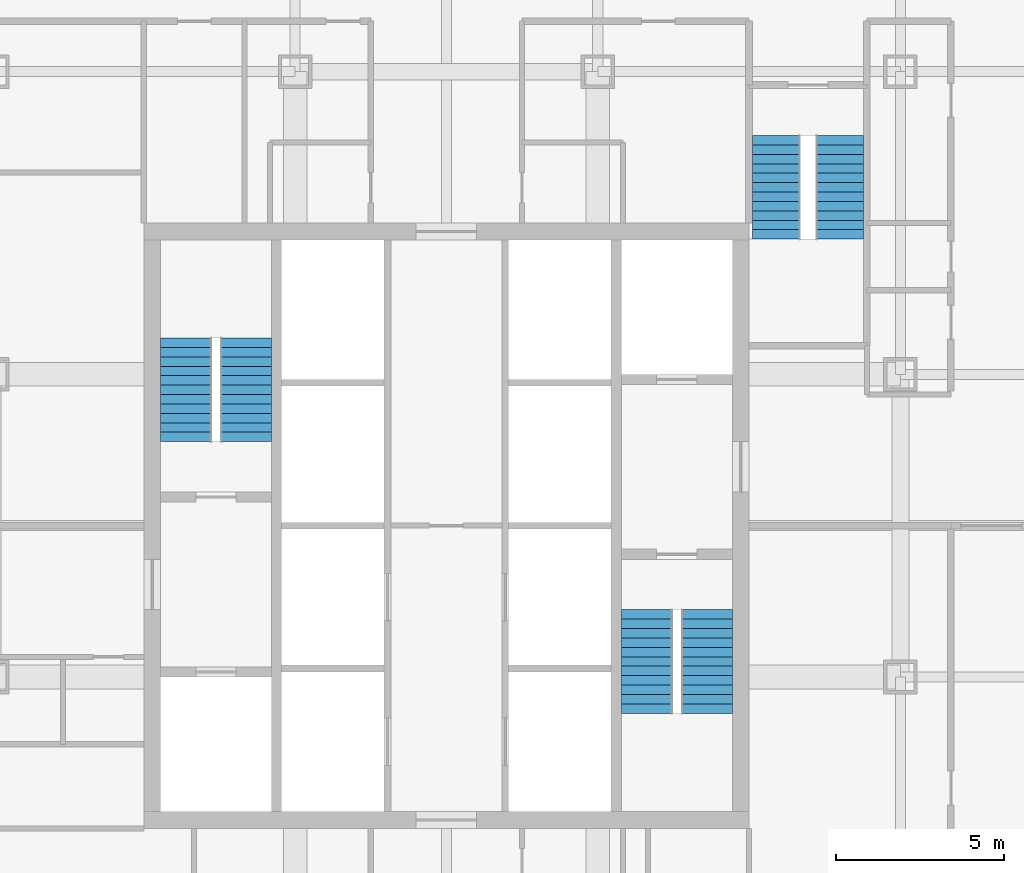
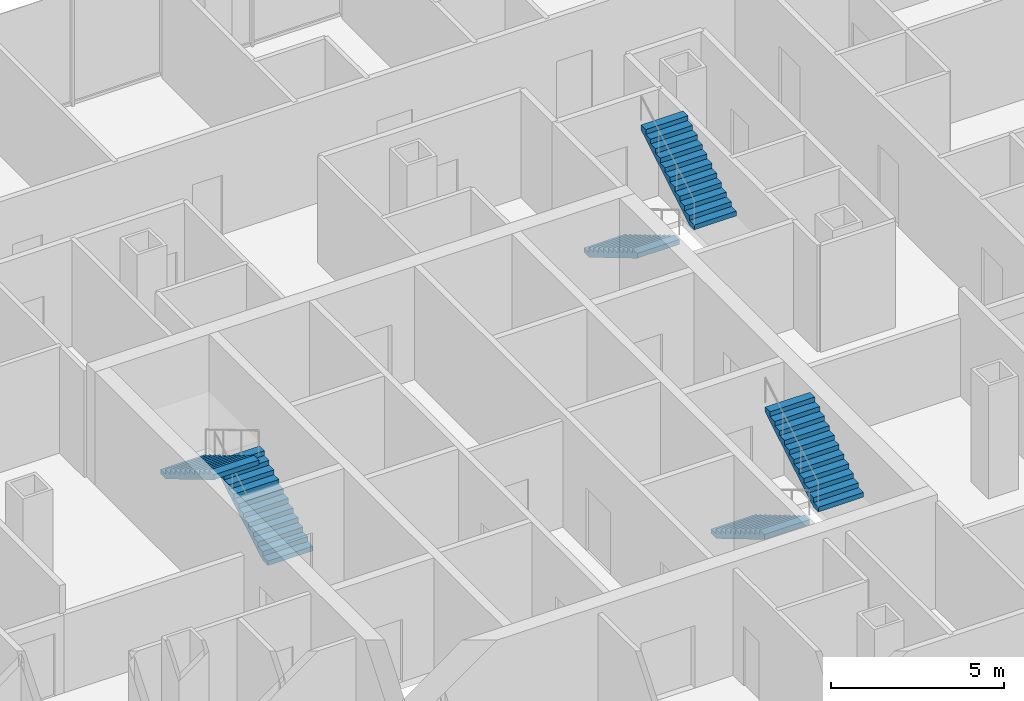
# One storey, part 12 of 13: 6 stair flights, 3 elements without a shape of their own.
"""IFC4 building model written with IfcOpenShell, lengths in metres."""

from ifc_helpers import new_model, si_unit, direction, frame, origin, place, context, subcontext, project, spatial, polyline, outline, extrude, material, type_object, element, aggregate, save


model = new_model("IFC4")

# Units and contexts
model_context = context("Model", 3, precision=1e-05, world=origin(), true_north=direction((0.0, 1.0)))
body_context = subcontext(model_context, "Body", "Model", "MODEL_VIEW")
ifc_project = project(units=[si_unit("LENGTHUNIT", "METRE"), si_unit("AREAUNIT", "SQUARE_METRE"), si_unit("VOLUMEUNIT", "CUBIC_METRE"), si_unit("PLANEANGLEUNIT", "RADIAN"), si_unit("MASSUNIT", "GRAM", prefix="KILO")], contexts=[model_context])

# Site, building, storey
site_placement = place(None, origin())
site = spatial("IfcSite", under=ifc_project, at=site_placement, CompositionType="ELEMENT")
building_placement = place(site_placement, origin())
building = spatial("IfcBuilding", under=site, at=building_placement, Name="Malebo Sky Hospital", CompositionType="ELEMENT")
storey_placement = place(building_placement, frame((0.0, 0.0, 87.0)))
storey = spatial("IfcBuildingStorey", under=building, at=storey_placement, Name="L20", CompositionType="ELEMENT", Elevation=87.0)

# Stair, stair flights
ifc_material = material(Name="Concrete C40/50", Category="concrete")
stair_type_1 = type_object("IfcStairType", Name="HALF-TURN STAIR 1400 R167", PredefinedType="HALF_TURN_STAIR", material=ifc_material)
stair_1_placement = place(storey_placement, origin())
stair_1 = element("IfcStair", 1, at=stair_1_placement, inside=storey, type_object=stair_type_1, Name="Stair S3 L20 type ST1B", PredefinedType="HALF_TURN_STAIR")
stair_flight_type_1 = type_object("IfcStairFlightType", Name="STAIR FLIGHT 1400 R167", PredefinedType="STRAIGHT", material=ifc_material)
stair_flight_1_placement = place(storey_placement, frame((69.800048828125, 73.60009765625, 0.0), z_axis=(0.0, 0.0, 1.0), x_axis=(0.0, -1.0, 0.0)))
stair_flight_1 = element("IfcStairFlight", 2, at=stair_flight_1_placement, type_object=stair_flight_type_1, Name="S3 flight 1 type SF1B", NumberOfRisers=12, NumberOfTreads=11, PredefinedType="STRAIGHT", RiserHeight=0.166666667, TreadLength=0.28, context=body_context, shape_type="SweptSolid", body=[
    extrude(outline(polyline([(0.0, 0.0), (0.0, 0.166748046875), (0.280029296875, 0.166748046875), (0.280029296875, 0.333251953125), (0.56005859375, 0.333251953125), (0.56005859375, 0.5), (0.840087890625, 0.5), (0.840087890625, 0.666748046875), (1.1201171875, 0.666748046875), (1.1201171875, 0.833251953125), (1.39990234375, 0.833251953125), (1.39990234375, 1.0), (1.679931640625, 1.0), (1.679931640625, 1.166748046875), (1.9599609375, 1.166748046875), (1.9599609375, 1.333251953125), (2.239990234375, 1.333251953125), (2.239990234375, 1.5), (2.52001953125, 1.5), (2.52001953125, 1.666748046875), (2.800048828125, 1.666748046875), (2.800048828125, 1.833251953125), (3.080078125, 1.833251953125), (3.080078125, 2.0), (3.080078125, 1.658935546875), (0.29296875, 0.0), (0.0, 0.0)])), frame((0.0, 0.699951171875, 0.0), z_axis=(0.0, -1.0, 0.0), x_axis=(1.0, 0.0, 0.0)), (0.0, 0.0, 1.0), 1.39990234375),
])
stair_flight_2_placement = place(storey_placement, frame((71.699951171875, 70.52001953125, 2.0), z_axis=(0.0, 0.0, 1.0), x_axis=(0.0, 1.0, 0.0)))
stair_flight_2 = element("IfcStairFlight", 3, at=stair_flight_2_placement, type_object=stair_flight_type_1, Name="S3 flight 2 type SF1B", NumberOfRisers=12, NumberOfTreads=11, PredefinedType="STRAIGHT", RiserHeight=0.166666667, TreadLength=0.28, context=body_context, shape_type="SweptSolid", body=[
    extrude(outline(polyline([(0.0, 0.0), (0.0, 0.166748046875), (0.280029296875, 0.166748046875), (0.280029296875, 0.333251953125), (0.56005859375, 0.333251953125), (0.56005859375, 0.5), (0.840087890625, 0.5), (0.840087890625, 0.666748046875), (1.1201171875, 0.666748046875), (1.1201171875, 0.833251953125), (1.39990234375, 0.833251953125), (1.39990234375, 1.0), (1.679931640625, 1.0), (1.679931640625, 1.166748046875), (1.9599609375, 1.166748046875), (1.9599609375, 1.333251953125), (2.239990234375, 1.333251953125), (2.239990234375, 1.5), (2.52001953125, 1.5), (2.52001953125, 1.666748046875), (2.800048828125, 1.666748046875), (2.800048828125, 1.833251953125), (3.080078125, 1.833251953125), (3.080078125, 2.0), (3.080078125, 1.658935546875), (0.29296875, 0.0), (0.0, 0.0)])), frame((0.0, 0.699951171875, 0.0), z_axis=(0.0, -1.0, 0.0), x_axis=(1.0, 0.0, 0.0)), (0.0, 0.0, 1.0), 1.39990234375),
])
aggregate(stair_1, [stair_flight_1, stair_flight_2])

stair_type_2 = type_object("IfcStairType", Name="HALF-TURN STAIR 1500 R167", PredefinedType="HALF_TURN_STAIR", material=ifc_material)
stair_2_placement = place(storey_placement, origin())
stair_2 = element("IfcStair", 4, at=stair_2_placement, inside=storey, type_object=stair_type_2, Name="Stair S1 L20 type ST1", PredefinedType="HALF_TURN_STAIR")
stair_flight_type_2 = type_object("IfcStairFlightType", Name="STAIR FLIGHT 1500 R167", PredefinedType="STRAIGHT", material=ifc_material)
stair_flight_3_placement = place(storey_placement, frame((54.050048828125, 64.5, 0.0), z_axis=(0.0, 0.0, 1.0), x_axis=(0.0, 1.0, 0.0)))
stair_flight_3 = element("IfcStairFlight", 5, at=stair_flight_3_placement, type_object=stair_flight_type_2, Name="S1 flight 1 type SF1", NumberOfRisers=12, NumberOfTreads=11, PredefinedType="STRAIGHT", RiserHeight=0.166666667, TreadLength=0.28, context=body_context, shape_type="SweptSolid", body=[
    extrude(outline(polyline([(0.0, 0.0), (0.0, 0.166748046875), (0.280029296875, 0.166748046875), (0.280029296875, 0.333251953125), (0.56005859375, 0.333251953125), (0.56005859375, 0.5), (0.840087890625, 0.5), (0.840087890625, 0.666748046875), (1.1201171875, 0.666748046875), (1.1201171875, 0.833251953125), (1.39990234375, 0.833251953125), (1.39990234375, 1.0), (1.679931640625, 1.0), (1.679931640625, 1.166748046875), (1.9599609375, 1.166748046875), (1.9599609375, 1.333251953125), (2.239990234375, 1.333251953125), (2.239990234375, 1.5), (2.52001953125, 1.5), (2.52001953125, 1.666748046875), (2.800048828125, 1.666748046875), (2.800048828125, 1.833251953125), (3.080078125, 1.833251953125), (3.080078125, 2.0), (3.080078125, 1.658935546875), (0.29296875, 0.0), (0.0, 0.0)])), frame((0.0, 0.75, 0.0), z_axis=(0.0, -1.0, 0.0), x_axis=(1.0, 0.0, 0.0)), (0.0, 0.0, 1.0), 1.5),
])
stair_flight_4_placement = place(storey_placement, frame((52.25, 67.580078125, 2.0), z_axis=(0.0, 0.0, 1.0), x_axis=(0.0, -1.0, 0.0)))
stair_flight_4 = element("IfcStairFlight", 6, at=stair_flight_4_placement, type_object=stair_flight_type_2, Name="S1 flight 2 type SF1", NumberOfRisers=12, NumberOfTreads=11, PredefinedType="STRAIGHT", RiserHeight=0.166666667, TreadLength=0.28, context=body_context, shape_type="SweptSolid", body=[
    extrude(outline(polyline([(0.0, 0.0), (0.0, 0.166748046875), (0.280029296875, 0.166748046875), (0.280029296875, 0.333251953125), (0.56005859375, 0.333251953125), (0.56005859375, 0.5), (0.840087890625, 0.5), (0.840087890625, 0.666748046875), (1.1201171875, 0.666748046875), (1.1201171875, 0.833251953125), (1.39990234375, 0.833251953125), (1.39990234375, 1.0), (1.679931640625, 1.0), (1.679931640625, 1.166748046875), (1.9599609375, 1.166748046875), (1.9599609375, 1.333251953125), (2.239990234375, 1.333251953125), (2.239990234375, 1.5), (2.52001953125, 1.5), (2.52001953125, 1.666748046875), (2.800048828125, 1.666748046875), (2.800048828125, 1.833251953125), (3.080078125, 1.833251953125), (3.080078125, 2.0), (3.080078125, 1.658935546875), (0.29296875, 0.0), (0.0, 0.0)])), frame((0.0, 0.75, 0.0), z_axis=(0.0, -1.0, 0.0), x_axis=(1.0, 0.0, 0.0)), (0.0, 0.0, 1.0), 1.5),
])
aggregate(stair_2, [stair_flight_3, stair_flight_4])

stair_3_placement = place(storey_placement, origin())
stair_3 = element("IfcStair", 7, at=stair_3_placement, inside=storey, type_object=stair_type_2, Name="Stair S2 L20 type ST1", PredefinedType="HALF_TURN_STAIR")
stair_flight_5_placement = place(storey_placement, frame((65.949951171875, 59.5, 0.0), z_axis=(0.0, 0.0, 1.0), x_axis=(0.0, -1.0, 0.0)))
stair_flight_5 = element("IfcStairFlight", 8, at=stair_flight_5_placement, type_object=stair_flight_type_2, Name="S2 flight 1 type SF1", NumberOfRisers=12, NumberOfTreads=11, PredefinedType="STRAIGHT", RiserHeight=0.166666667, TreadLength=0.28, context=body_context, shape_type="SweptSolid", body=[
    extrude(outline(polyline([(0.0, 0.0), (0.0, 0.166748046875), (0.280029296875, 0.166748046875), (0.280029296875, 0.333251953125), (0.56005859375, 0.333251953125), (0.56005859375, 0.5), (0.840087890625, 0.5), (0.840087890625, 0.666748046875), (1.1201171875, 0.666748046875), (1.1201171875, 0.833251953125), (1.39990234375, 0.833251953125), (1.39990234375, 1.0), (1.679931640625, 1.0), (1.679931640625, 1.166748046875), (1.9599609375, 1.166748046875), (1.9599609375, 1.333251953125), (2.239990234375, 1.333251953125), (2.239990234375, 1.5), (2.52001953125, 1.5), (2.52001953125, 1.666748046875), (2.800048828125, 1.666748046875), (2.800048828125, 1.833251953125), (3.080078125, 1.833251953125), (3.080078125, 2.0), (3.080078125, 1.658935546875), (0.29296875, 0.0), (0.0, 0.0)])), frame((0.0, 0.75, 0.0), z_axis=(0.0, -1.0, 0.0), x_axis=(1.0, 0.0, 0.0)), (0.0, 0.0, 1.0), 1.5),
])
stair_flight_6_placement = place(storey_placement, frame((67.75, 56.419921875, 2.0), z_axis=(0.0, 0.0, 1.0), x_axis=(0.0, 1.0, 0.0)))
stair_flight_6 = element("IfcStairFlight", 9, at=stair_flight_6_placement, type_object=stair_flight_type_2, Name="S2 flight 2 type SF1", NumberOfRisers=12, NumberOfTreads=11, PredefinedType="STRAIGHT", RiserHeight=0.166666667, TreadLength=0.28, context=body_context, shape_type="SweptSolid", body=[
    extrude(outline(polyline([(0.0, 0.0), (0.0, 0.166748046875), (0.280029296875, 0.166748046875), (0.280029296875, 0.333251953125), (0.56005859375, 0.333251953125), (0.56005859375, 0.5), (0.840087890625, 0.5), (0.840087890625, 0.666748046875), (1.1201171875, 0.666748046875), (1.1201171875, 0.833251953125), (1.39990234375, 0.833251953125), (1.39990234375, 1.0), (1.679931640625, 1.0), (1.679931640625, 1.166748046875), (1.9599609375, 1.166748046875), (1.9599609375, 1.333251953125), (2.239990234375, 1.333251953125), (2.239990234375, 1.5), (2.52001953125, 1.5), (2.52001953125, 1.666748046875), (2.800048828125, 1.666748046875), (2.800048828125, 1.833251953125), (3.080078125, 1.833251953125), (3.080078125, 2.0), (3.080078125, 1.658935546875), (0.29296875, 0.0), (0.0, 0.0)])), frame((0.0, 0.75, 0.0), z_axis=(0.0, -1.0, 0.0), x_axis=(1.0, 0.0, 0.0)), (0.0, 0.0, 1.0), 1.5),
])
aggregate(stair_3, [stair_flight_5, stair_flight_6])

save(model, "model.ifc")
